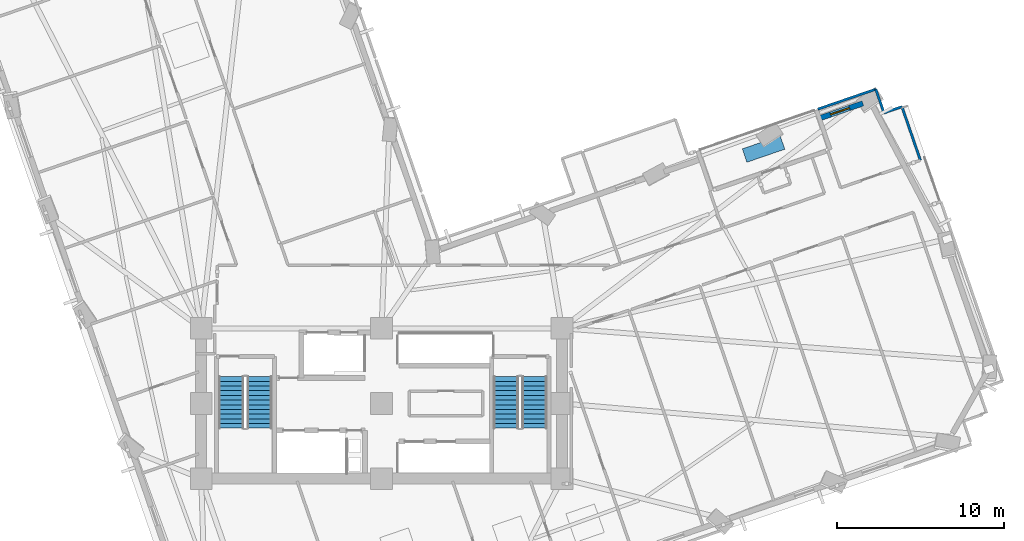
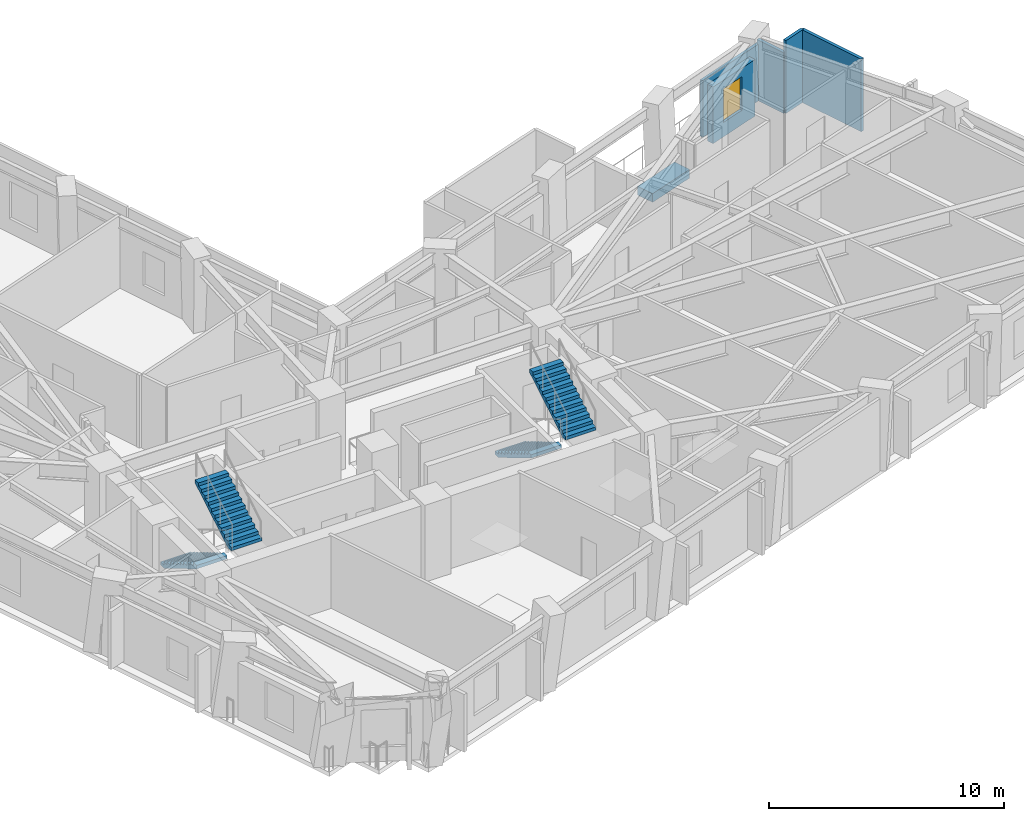
# One storey, part 11 of 15: 5 walls, 4 stair flights, 1 discrete accessory, 1 window, 1 opening, 2 elements without a shape of their own.
"""IFC4 building model written with IfcOpenShell, lengths in metres."""

from ifc_helpers import new_model, si_unit, direction, frame, frame_2d, origin, origin_2d, place, context, subcontext, project, spatial, polyline, rectangle, outline, extrude, material, layer, layer_set, type_object, element, fill, aggregate, save


model = new_model("IFC4")

# Units and contexts
model_context = context("Model", 3, precision=1e-05, world=origin(), true_north=direction((0.0, 1.0)))
body_context = subcontext(model_context, "Body", "Model", "MODEL_VIEW")
ifc_project = project(units=[si_unit("LENGTHUNIT", "METRE"), si_unit("AREAUNIT", "SQUARE_METRE"), si_unit("VOLUMEUNIT", "CUBIC_METRE"), si_unit("PLANEANGLEUNIT", "RADIAN"), si_unit("MASSUNIT", "GRAM", prefix="KILO")], contexts=[model_context])

# Site, building, storey
site_placement = place(None, origin())
site = spatial("IfcSite", under=ifc_project, at=site_placement, CompositionType="ELEMENT")
building_placement = place(site_placement, origin())
building = spatial("IfcBuilding", under=site, at=building_placement, Name="Gaonmaruhae Medical Tower", CompositionType="ELEMENT")
storey_placement = place(building_placement, frame((0.0, 0.0, 104.39990234375)))
storey = spatial("IfcBuildingStorey", under=building, at=storey_placement, Name="L24", CompositionType="ELEMENT", Elevation=104.39990234375)

# Wall, opening, window
ifc_material_1 = material(Name="Precast concrete C45/55", Category="concrete")
ifc_layer_1 = layer(ifc_material_1, 0.320068359375)
ifc_layer_set_1 = layer_set([ifc_layer_1], Name="Precast concrete C45/55")
wall_type_1 = type_object("IfcWallType", Name="EW-320 Lower Precast Masonry-Frame Facade Wall", PredefinedType="SOLIDWALL", material=ifc_layer_set_1)
wall_1_placement = place(storey_placement, frame((51.02392578125, 29.37158203125, 0.0), z_axis=(0.0, 0.0, 1.0), x_axis=(0.945482121337, 0.325674006074, 0.0)))
wall_1 = element("IfcWall", 1, at=wall_1_placement, inside=storey, type_object=wall_type_1, Name="L24 Precast Masonry-Frame Wall E03-EN01", PredefinedType="SOLIDWALL", context=body_context, shape_type="SweptSolid", body=[
    extrude(rectangle(XDim=2.732421875, YDim=0.320068359375, at=frame_2d((1.3662109375, 0.0))), origin(), (0.0, 0.0, 1.0), 2.945068359375),
])
opening_placement = place(wall_1_placement, frame((0.683349609375, 0.0, 0.75)))
opening = element("IfcOpeningElement", 2, at=opening_placement, cuts=wall_1, Name="Opening WN-05", PredefinedType="OPENING", context=body_context, shape_type="SweptSolid", body=[
    extrude(rectangle(XDim=1.199951171875, YDim=1.75, at=frame_2d((0.60009765625, 0.875))), frame((0.0, 0.169921875, 0.0), z_axis=(0.0, -1.0, 0.0), x_axis=(1.0, 0.0, 0.0)), (0.0, 0.0, 1.0), 0.340087890625),
])
ifc_material_2 = material(Name="Anodised aluminium and Low-E double glazing", Category="aluminium")
window_type = type_object("IfcWindowType", Name="WN-05 Support & Staff Punched Window 1200x1750", PartitioningType="SINGLE_PANEL", PredefinedType="WINDOW", material=ifc_material_2)
window_placement = place(opening_placement, origin())
window = element("IfcWindow", 3, at=window_placement, inside=storey, type_object=window_type, Name="L24 Modular Facade Window E03", OverallHeight=1.75, OverallWidth=1.199951171875, PartitioningType="SINGLE_PANEL", PredefinedType="WINDOW", context=body_context, shape_type="SweptSolid", body=[
    extrude(rectangle(XDim=1.199951171875, YDim=1.75, at=frame_2d((0.60009765625, 0.875))), frame((0.0, 0.030029296875, 0.0), z_axis=(0.0, -1.0, 0.0), x_axis=(1.0, 0.0, 0.0)), (0.0, 0.0, 1.0), 0.06005859375),
])
fill(opening, window)

# Walls
ifc_material_3 = material(Name="Gypsum board partition", Category="gypsum")
ifc_layer_2 = layer(ifc_material_3, 0.14990234375)
ifc_layer_set_2 = layer_set([ifc_layer_2], Name="Gypsum board partition")
wall_type_2 = type_object("IfcWallType", Name="PW-150 Rated Clinical Corridor Partition", PredefinedType="PARTITIONING", material=ifc_layer_set_2)
wall_2_placement = place(storey_placement, frame((54.3779296875, 31.10791015625, 0.0), z_axis=(0.0, 0.0, 1.0), x_axis=(0.326025796862, -0.945360872778, 0.0)))
element("IfcWall", 4, at=wall_2_placement, inside=storey, type_object=wall_type_2, Name="L24 Interior Partition L24-IE06-87", PredefinedType="PARTITIONING", context=body_context, shape_type="SweptSolid", body=[
    extrude(rectangle(XDim=1.5, YDim=0.14990234375, at=frame_2d((0.75, 0.0))), origin(), (0.0, 0.0, 1.0), 3.1650390625),
])
wall_3_placement = place(storey_placement, frame((54.866943359375, 29.68994140625, 0.0), z_axis=(0.0, 0.0, 1.0), x_axis=(0.945464036643, 0.325726504011, 0.0)))
element("IfcWall", 5, at=wall_3_placement, inside=storey, type_object=wall_type_2, Name="L24 Interior Partition L24-IE06-88", PredefinedType="PARTITIONING", context=body_context, shape_type="SweptSolid", body=[
    extrude(rectangle(XDim=1.13916015625, YDim=0.14990234375, at=frame_2d((0.569580078125, 0.0))), origin(), (0.0, 0.0, 1.0), 3.780029296875),
])
wall_4_placement = place(storey_placement, frame((55.944091796875, 30.06103515625, 0.0), z_axis=(0.0, 0.0, 1.0), x_axis=(0.325675490584, -0.945481609992, 0.0)))
element("IfcWall", 6, at=wall_4_placement, inside=storey, type_object=wall_type_2, Name="L24 Interior Partition L24-IE06-89", PredefinedType="PARTITIONING", context=body_context, shape_type="SweptSolid", body=[
    extrude(rectangle(XDim=3.389892578125, YDim=0.14990234375, at=frame_2d((1.69482421875, 0.0))), origin(), (0.0, 0.0, 1.0), 3.780029296875),
])
wall_5_placement = place(storey_placement, frame((50.906982421875, 29.9130859375, 0.0), z_axis=(0.0, 0.0, 1.0), x_axis=(0.945545303861, 0.325490519596, 0.0)))
element("IfcWall", 7, at=wall_5_placement, inside=storey, type_object=wall_type_2, Name="L24 Interior Partition L24-IE06-93", PredefinedType="PARTITIONING", context=body_context, shape_type="SweptSolid", body=[
    extrude(rectangle(XDim=3.6708984375, YDim=0.14990234375, at=frame_2d((1.83544921875, 0.0))), origin(), (0.0, 0.0, 1.0), 2.945068359375),
])

# Stair, stair flights
ifc_material_4 = material(Name="Concrete C40/50", Category="concrete")
stair_type = type_object("IfcStairType", Name="ST-T1 Primary Core Escape Dogleg Stair", PredefinedType="TWO_QUARTER_TURN_STAIR", material=ifc_material_4)
stair_1_placement = place(storey_placement, origin())
stair_1 = element("IfcStair", 8, at=stair_1_placement, inside=storey, type_object=stair_type, Name="L24 Protected Escape Stair ST-01", PredefinedType="TWO_QUARTER_TURN_STAIR")
stair_flight_type = type_object("IfcStairFlightType", Name="SF-T1 Primary Core Precast Stair Flight", PredefinedType="STRAIGHT", material=ifc_material_4)
stair_flight_1_placement = place(storey_placement, frame((15.800048828125, 13.89990234375, 0.0), z_axis=(0.0, 0.0, 1.0), x_axis=(0.0, -1.0, 0.0)))
stair_flight_1 = element("IfcStairFlight", 9, at=stair_flight_1_placement, type_object=stair_flight_type, Name="ST-01 flight 1", NumberOfRisers=12, NumberOfTreads=11, PredefinedType="STRAIGHT", RiserHeight=0.166666667, TreadLength=0.28, context=body_context, shape_type="SweptSolid", body=[
    extrude(outline(polyline([(0.0, 0.0), (0.0, 0.166748046875), (0.280029296875, 0.166748046875), (0.280029296875, 0.333251953125), (0.56005859375, 0.333251953125), (0.56005859375, 0.5), (0.840087890625, 0.5), (0.840087890625, 0.666748046875), (1.1201171875, 0.666748046875), (1.1201171875, 0.833251953125), (1.39990234375, 0.833251953125), (1.39990234375, 1.0), (1.679931640625, 1.0), (1.679931640625, 1.166748046875), (1.9599609375, 1.166748046875), (1.9599609375, 1.333251953125), (2.239990234375, 1.333251953125), (2.239990234375, 1.5), (2.52001953125, 1.5), (2.52001953125, 1.666748046875), (2.800048828125, 1.666748046875), (2.800048828125, 1.833251953125), (3.080078125, 1.833251953125), (3.080078125, 2.0), (3.080078125, 1.658935546875), (0.29296875, 0.0), (0.0, 0.0)])), frame((0.0, 0.75, 0.0), z_axis=(0.0, -1.0, 0.0), x_axis=(1.0, 0.0, 0.0)), (0.0, 0.0, 1.0), 1.5),
])
stair_flight_2_placement = place(storey_placement, frame((17.5, 10.820068359375, 2.0), z_axis=(0.0, 0.0, 1.0), x_axis=(0.0, 1.0, 0.0)))
stair_flight_2 = element("IfcStairFlight", 10, at=stair_flight_2_placement, type_object=stair_flight_type, Name="ST-01 flight 2", NumberOfRisers=12, NumberOfTreads=11, PredefinedType="STRAIGHT", RiserHeight=0.166666667, TreadLength=0.28, context=body_context, shape_type="SweptSolid", body=[
    extrude(outline(polyline([(0.0, 0.0), (0.0, 0.166748046875), (0.280029296875, 0.166748046875), (0.280029296875, 0.333251953125), (0.56005859375, 0.333251953125), (0.56005859375, 0.5), (0.840087890625, 0.5), (0.840087890625, 0.666748046875), (1.1201171875, 0.666748046875), (1.1201171875, 0.833251953125), (1.39990234375, 0.833251953125), (1.39990234375, 1.0), (1.679931640625, 1.0), (1.679931640625, 1.166748046875), (1.9599609375, 1.166748046875), (1.9599609375, 1.333251953125), (2.239990234375, 1.333251953125), (2.239990234375, 1.5), (2.52001953125, 1.5), (2.52001953125, 1.666748046875), (2.800048828125, 1.666748046875), (2.800048828125, 1.833251953125), (3.080078125, 1.833251953125), (3.080078125, 2.0), (3.080078125, 1.658935546875), (0.29296875, 0.0), (0.0, 0.0)])), frame((0.0, 0.75, 0.0), z_axis=(0.0, -1.0, 0.0), x_axis=(1.0, 0.0, 0.0)), (0.0, 0.0, 1.0), 1.5),
])
aggregate(stair_1, [stair_flight_1, stair_flight_2])

stair_2_placement = place(storey_placement, origin())
stair_2 = element("IfcStair", 11, at=stair_2_placement, inside=storey, type_object=stair_type, Name="L24 Protected Escape Stair ST-02", PredefinedType="TWO_QUARTER_TURN_STAIR")
stair_flight_3_placement = place(storey_placement, frame((32.25, 13.89990234375, 0.0), z_axis=(0.0, 0.0, 1.0), x_axis=(0.0, -1.0, 0.0)))
stair_flight_3 = element("IfcStairFlight", 12, at=stair_flight_3_placement, type_object=stair_flight_type, Name="ST-02 flight 1", NumberOfRisers=12, NumberOfTreads=11, PredefinedType="STRAIGHT", RiserHeight=0.166666667, TreadLength=0.28, context=body_context, shape_type="SweptSolid", body=[
    extrude(outline(polyline([(0.0, 0.0), (0.0, 0.166748046875), (0.280029296875, 0.166748046875), (0.280029296875, 0.333251953125), (0.56005859375, 0.333251953125), (0.56005859375, 0.5), (0.840087890625, 0.5), (0.840087890625, 0.666748046875), (1.1201171875, 0.666748046875), (1.1201171875, 0.833251953125), (1.39990234375, 0.833251953125), (1.39990234375, 1.0), (1.679931640625, 1.0), (1.679931640625, 1.166748046875), (1.9599609375, 1.166748046875), (1.9599609375, 1.333251953125), (2.239990234375, 1.333251953125), (2.239990234375, 1.5), (2.52001953125, 1.5), (2.52001953125, 1.666748046875), (2.800048828125, 1.666748046875), (2.800048828125, 1.833251953125), (3.080078125, 1.833251953125), (3.080078125, 2.0), (3.080078125, 1.658935546875), (0.29296875, 0.0), (0.0, 0.0)])), frame((0.0, 0.75, 0.0), z_axis=(0.0, -1.0, 0.0), x_axis=(1.0, 0.0, 0.0)), (0.0, 0.0, 1.0), 1.5),
])
stair_flight_4_placement = place(storey_placement, frame((33.949951171875, 10.820068359375, 2.0), z_axis=(0.0, 0.0, 1.0), x_axis=(0.0, 1.0, 0.0)))
stair_flight_4 = element("IfcStairFlight", 13, at=stair_flight_4_placement, type_object=stair_flight_type, Name="ST-02 flight 2", NumberOfRisers=12, NumberOfTreads=11, PredefinedType="STRAIGHT", RiserHeight=0.166666667, TreadLength=0.28, context=body_context, shape_type="SweptSolid", body=[
    extrude(outline(polyline([(0.0, 0.0), (0.0, 0.166748046875), (0.280029296875, 0.166748046875), (0.280029296875, 0.333251953125), (0.56005859375, 0.333251953125), (0.56005859375, 0.5), (0.840087890625, 0.5), (0.840087890625, 0.666748046875), (1.1201171875, 0.666748046875), (1.1201171875, 0.833251953125), (1.39990234375, 0.833251953125), (1.39990234375, 1.0), (1.679931640625, 1.0), (1.679931640625, 1.166748046875), (1.9599609375, 1.166748046875), (1.9599609375, 1.333251953125), (2.239990234375, 1.333251953125), (2.239990234375, 1.5), (2.52001953125, 1.5), (2.52001953125, 1.666748046875), (2.800048828125, 1.666748046875), (2.800048828125, 1.833251953125), (3.080078125, 1.833251953125), (3.080078125, 2.0), (3.080078125, 1.658935546875), (0.29296875, 0.0), (0.0, 0.0)])), frame((0.0, 0.75, 0.0), z_axis=(0.0, -1.0, 0.0), x_axis=(1.0, 0.0, 0.0)), (0.0, 0.0, 1.0), 1.5),
])
aggregate(stair_2, [stair_flight_3, stair_flight_4])

# Discrete accessory
discrete_accessory_type = type_object("IfcDiscreteAccessoryType", Name="PLN-01 Sky Garden Precast Botanical Planter", PredefinedType="USERDEFINED", material=ifc_material_1)
discrete_accessory_placement = place(storey_placement, frame((47.661376953125, 27.526611328125, 0.0), z_axis=(0.0, 0.0, 1.0), x_axis=(0.945518575599, 0.325568154457, 0.0)))
element("IfcDiscreteAccessory", 14, at=discrete_accessory_placement, inside=storey, type_object=discrete_accessory_type, Name="L24 Sky Garden Botanical Planter SLB-L24-TER", ObjectType="PLANTER", PredefinedType="USERDEFINED", context=body_context, shape_type="SweptSolid", body=[
    extrude(rectangle(XDim=2.39990234375, YDim=0.85009765625, at=origin_2d()), origin(), (0.0, 0.0, 1.0), 0.449951171875),
])

save(model, "model.ifc")
